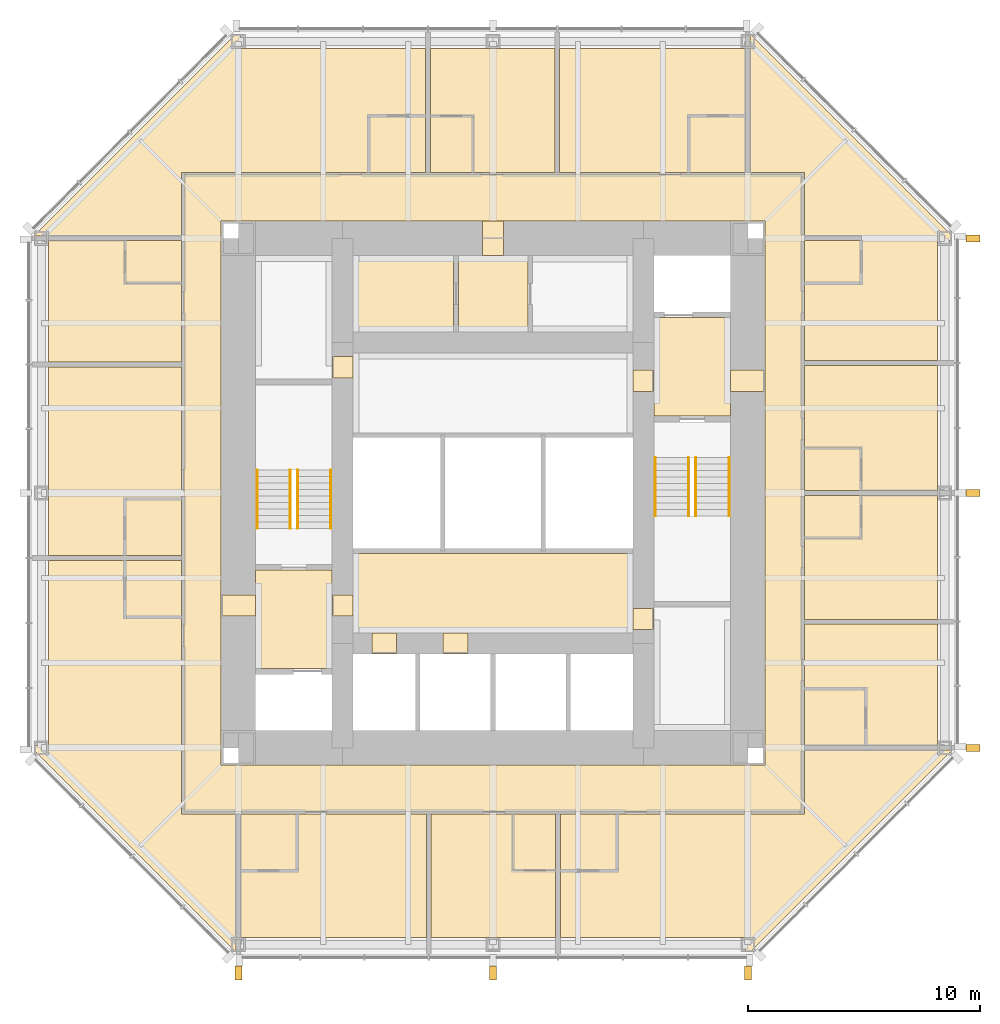
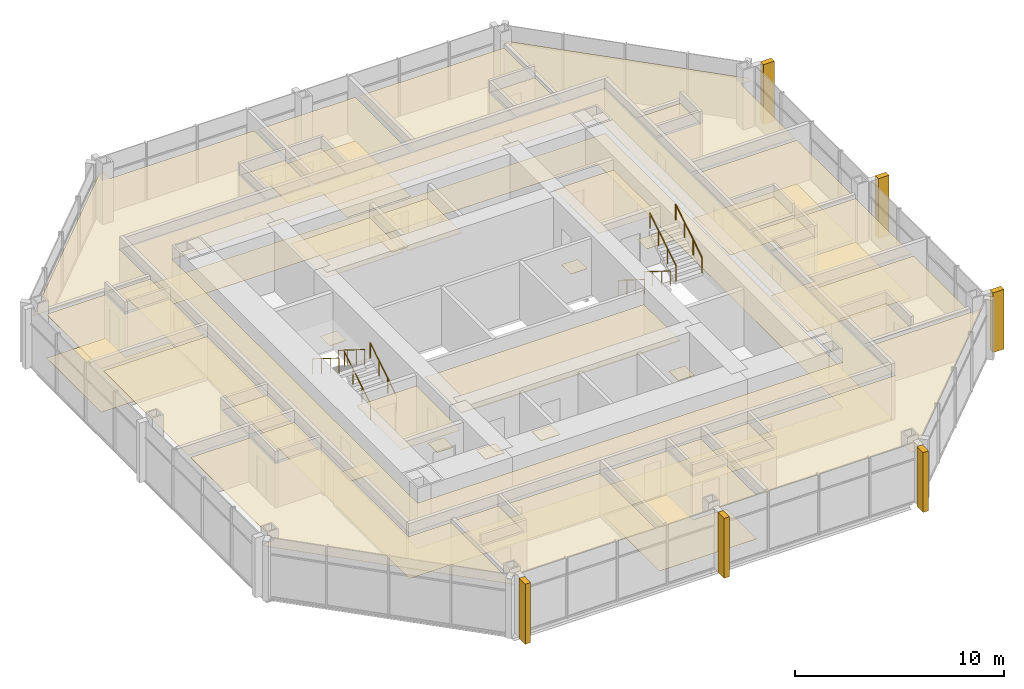
# One storey, part 11 of 11: 53 coverings, 8 railings.
"""IFC4 building model written with IfcOpenShell, lengths in metres."""

from ifc_helpers import new_model, si_unit, direction, frame, origin, origin_2d, place, context, subcontext, project, spatial, polyline, rectangle, circle, outline, extrude, material, layer, layer_set, type_object, element, save


model = new_model("IFC4")

# Units and contexts
model_context = context("Model", 3, precision=1e-05, world=origin(), true_north=direction((0.0, 1.0)))
body_context = subcontext(model_context, "Body", "Model", "MODEL_VIEW")
ifc_project = project(units=[si_unit("LENGTHUNIT", "METRE"), si_unit("AREAUNIT", "SQUARE_METRE"), si_unit("VOLUMEUNIT", "CUBIC_METRE"), si_unit("PLANEANGLEUNIT", "RADIAN"), si_unit("MASSUNIT", "GRAM", prefix="KILO")], contexts=[model_context])

# Site, building, storey
site_placement = place(None, origin())
site = spatial("IfcSite", under=ifc_project, at=site_placement, CompositionType="ELEMENT")
building_placement = place(site_placement, origin())
building = spatial("IfcBuilding", under=site, at=building_placement, Name="Trevanion Tower", CompositionType="ELEMENT")
storey_placement = place(building_placement, frame((0.0, 0.0, 218.699951171875)))
storey = spatial("IfcBuildingStorey", under=building, at=storey_placement, Name="L52", CompositionType="ELEMENT", Elevation=218.699951171875)

# Coverings
ifc_material_1 = material(Name="Fibrous plaster coffers on suspended steel grid", Category="steel")
ifc_layer_1 = layer(ifc_material_1, 0.050048828125)
ifc_layer_set_1 = layer_set([ifc_layer_1], Name="CL1 coffered fibrous plaster ceiling 50")
covering_type_1 = type_object("IfcCoveringType", Name="CL1 coffered fibrous plaster ceiling 50", PredefinedType="CEILING", material=ifc_layer_set_1)
covering_1_placement = place(storey_placement, frame((0.0, 0.0, 2.429931640625)))
element("IfcCovering", 1, at=covering_1_placement, inside=storey, type_object=covering_type_1, Name="CL1 L52-LBS", PredefinedType="CEILING", context=body_context, shape_type="SweptSolid", body=[
    extrude(outline(polyline([(6.050048828125, -6.050048828125), (6.050048828125, -2.60009765625), (-6.050048828125, -2.60009765625), (-6.050048828125, -6.050048828125), (6.050048828125, -6.050048828125)])), origin(), (0.0, 0.0, 1.0), 0.050048828125),
])
ifc_material_2 = material(Name="Mineral fibre acoustic tiles in exposed grid", Category="mineral fibre")
ifc_layer_2 = layer(ifc_material_2, 0.02001953125)
ifc_layer_set_2 = layer_set([ifc_layer_2], Name="CL2 acoustic tile ceiling 20")
covering_type_2 = type_object("IfcCoveringType", Name="CL2 acoustic tile ceiling 20", PredefinedType="CEILING", material=ifc_layer_set_2)
covering_2_placement = place(storey_placement, frame((0.0, 0.0, 2.4599609375)))
element("IfcCovering", 2, at=covering_2_placement, inside=storey, type_object=covering_type_2, Name="CL2 L52-HKC", PredefinedType="CEILING", context=body_context, shape_type="SweptSolid", body=[
    extrude(outline(polyline([(1.5, 6.949951171875), (1.5, 10.25), (-1.5, 10.25), (-1.5, 6.949951171875), (1.5, 6.949951171875)])), origin(), (0.0, 0.0, 1.0), 0.02001953125),
])
covering_3_placement = place(storey_placement, frame((0.0, 0.0, 2.633056640625)))
element("IfcCovering", 3, at=covering_3_placement, inside=storey, type_object=covering_type_2, Name="CL2 L52-CO", PredefinedType="CEILING", context=body_context, shape_type="SweptSolid", body=[
    extrude(outline(polyline([(-13.35009765625, -13.75), (-13.35009765625, 13.75), (13.35009765625, 13.75), (13.35009765625, -13.75), (-13.35009765625, -13.75)]), holes=[polyline([(11.75, 11.75), (-11.75, 11.75), (-11.75, -11.75), (11.75, -11.75), (11.75, 11.75)])]), origin(), (0.0, 0.0, 1.0), 0.02001953125),
])
ifc_material_3 = material(Name="Gypsum plasterboard on suspended metal furring", Category="gypsum")
ifc_layer_3 = layer(ifc_material_3, 0.012939453125)
ifc_layer_set_3 = layer_set([ifc_layer_3], Name="CL3 plasterboard ceiling 13")
covering_type_3 = type_object("IfcCoveringType", Name="CL3 plasterboard ceiling 13", PredefinedType="CEILING", material=ifc_layer_set_3)
covering_4_placement = place(storey_placement, frame((0.0, 0.0, 2.699951171875)))
element("IfcCovering", 4, at=covering_4_placement, inside=storey, type_object=covering_type_3, Name="CL3 L52-FV1", PredefinedType="CEILING", context=body_context, shape_type="SweptSolid", body=[
    extrude(outline(polyline([(10.25, 3.324951171875), (10.25, 7.574951171875), (6.949951171875, 7.574951171875), (6.949951171875, 3.324951171875), (10.25, 3.324951171875)])), origin(), (0.0, 0.0, 1.0), 0.01318359375),
])
covering_5_placement = place(storey_placement, frame((0.0, 0.0, 2.699951171875)))
element("IfcCovering", 5, at=covering_5_placement, inside=storey, type_object=covering_type_3, Name="CL3 L52-FV2", PredefinedType="CEILING", context=body_context, shape_type="SweptSolid", body=[
    extrude(outline(polyline([(-10.25, -3.324951171875), (-10.25, -7.574951171875), (-6.949951171875, -7.574951171875), (-6.949951171875, -3.324951171875), (-10.25, -3.324951171875)])), origin(), (0.0, 0.0, 1.0), 0.01318359375),
])
covering_6_placement = place(storey_placement, frame((0.0, 0.0, 2.551025390625)))
element("IfcCovering", 6, at=covering_6_placement, inside=storey, type_object=covering_type_3, Name="CL3 L52-GA", PredefinedType="CEILING", context=body_context, shape_type="SweptSolid", body=[
    extrude(outline(polyline([(13.449951171875, -5.64892578125), (19.199951171875, -5.64892578125), (19.199951171875, -10.89990234375), (16.10009765625, -10.89990234375), (16.10009765625, -8.449951171875), (13.449951171875, -8.449951171875), (13.449951171875, -5.64892578125)])), origin(), (0.0, 0.0, 1.0), 0.012939453125),
])
covering_7_placement = place(storey_placement, frame((0.0, 0.0, 2.551025390625)))
element("IfcCovering", 7, at=covering_7_placement, inside=storey, type_object=covering_type_3, Name="CL3 L52-GR", PredefinedType="CEILING", context=body_context, shape_type="SweptSolid", body=[
    extrude(outline(polyline([(13.449951171875, -1.949951171875), (15.89990234375, -1.949951171875), (15.89990234375, -0.10009765625), (19.199951171875, -0.10009765625), (19.199951171875, -5.448974609375), (13.449951171875, -5.448974609375), (13.449951171875, -1.949951171875)])), origin(), (0.0, 0.0, 1.0), 0.012939453125),
])
covering_8_placement = place(storey_placement, frame((0.0, 0.0, 2.551025390625)))
element("IfcCovering", 8, at=covering_8_placement, inside=storey, type_object=covering_type_3, Name="CL3 L52-GR2", PredefinedType="CEILING", context=body_context, shape_type="SweptSolid", body=[
    extrude(outline(polyline([(13.449951171875, 5.513916015625), (19.199951171875, 5.513916015625), (19.199951171875, 0.10009765625), (15.89990234375, 0.10009765625), (15.89990234375, 1.949951171875), (13.449951171875, 1.949951171875), (13.449951171875, 5.513916015625)])), origin(), (0.0, 0.0, 1.0), 0.012939453125),
])
covering_9_placement = place(storey_placement, frame((0.0, 0.0, 2.551025390625)))
element("IfcCovering", 9, at=covering_9_placement, inside=storey, type_object=covering_type_3, Name="CL3 L52-GR3", PredefinedType="CEILING", context=body_context, shape_type="SweptSolid", body=[
    extrude(outline(polyline([(11.10009765625, 13.85009765625), (11.10009765625, 19.800048828125), (11.124267578125, 19.800048828125), (19.800048828125, 11.124267578125), (19.800048828125, 10.89990234375), (19.199951171875, 10.89990234375), (19.199951171875, 5.714111328125), (13.449951171875, 5.714111328125), (13.449951171875, 9.050048828125), (15.89990234375, 9.050048828125), (15.89990234375, 10.949951171875), (13.449951171875, 10.949951171875), (13.449951171875, 13.85009765625), (11.10009765625, 13.85009765625)])), origin(), (0.0, 0.0, 1.0), 0.012939453125),
])
covering_10_placement = place(storey_placement, frame((0.0, 0.0, 2.551025390625)))
element("IfcCovering", 10, at=covering_10_placement, inside=storey, type_object=covering_type_3, Name="CL3 L52-GJ", PredefinedType="CEILING", context=body_context, shape_type="SweptSolid", body=[
    extrude(outline(polyline([(2.875, 13.85009765625), (2.875, 19.199951171875), (10.89990234375, 19.199951171875), (10.89990234375, 16.300048828125), (8.449951171875, 16.300048828125), (8.449951171875, 13.85009765625), (2.875, 13.85009765625)])), origin(), (0.0, 0.0, 1.0), 0.012939453125),
])
covering_11_placement = place(storey_placement, frame((0.0, 0.0, 2.551025390625)))
element("IfcCovering", 11, at=covering_11_placement, inside=storey, type_object=covering_type_3, Name="CL3 L52-GR4", PredefinedType="CEILING", context=body_context, shape_type="SweptSolid", body=[
    extrude(outline(polyline([(-0.85693359375, 13.85009765625), (-0.85693359375, 16.300048828125), (-2.70703125, 16.300048828125), (-2.70703125, 19.199951171875), (2.675048828125, 19.199951171875), (2.675048828125, 13.85009765625), (-0.85693359375, 13.85009765625)])), origin(), (0.0, 0.0, 1.0), 0.012939453125),
])
covering_12_placement = place(storey_placement, frame((0.0, 0.0, 2.551025390625)))
element("IfcCovering", 12, at=covering_12_placement, inside=storey, type_object=covering_type_3, Name="CL3 L52-GJ2", PredefinedType="CEILING", context=body_context, shape_type="SweptSolid", body=[
    extrude(outline(polyline([(-13.449951171875, 11.10009765625), (-19.800048828125, 11.10009765625), (-19.800048828125, 11.124267578125), (-11.124267578125, 19.800048828125), (-10.89990234375, 19.800048828125), (-10.89990234375, 19.199951171875), (-2.906982421875, 19.199951171875), (-2.906982421875, 16.300048828125), (-5.35693359375, 16.300048828125), (-5.35693359375, 13.85009765625), (-13.449951171875, 13.85009765625), (-13.449951171875, 11.10009765625)])), origin(), (0.0, 0.0, 1.0), 0.012939453125),
])
covering_13_placement = place(storey_placement, frame((0.0, 0.0, 2.551025390625)))
element("IfcCovering", 13, at=covering_13_placement, inside=storey, type_object=covering_type_3, Name="CL3 L52-GR5", PredefinedType="CEILING", context=body_context, shape_type="SweptSolid", body=[
    extrude(outline(polyline([(-13.449951171875, 5.64892578125), (-19.199951171875, 5.64892578125), (-19.199951171875, 10.89990234375), (-15.89990234375, 10.89990234375), (-15.89990234375, 9.050048828125), (-13.449951171875, 9.050048828125), (-13.449951171875, 5.64892578125)])), origin(), (0.0, 0.0, 1.0), 0.012939453125),
])
covering_14_placement = place(storey_placement, frame((0.0, 0.0, 2.551025390625)))
element("IfcCovering", 14, at=covering_14_placement, inside=storey, type_object=covering_type_3, Name="CL3 L52-GJ3", PredefinedType="CEILING", context=body_context, shape_type="SweptSolid", body=[
    extrude(outline(polyline([(-13.449951171875, -0.257080078125), (-15.89990234375, -0.257080078125), (-15.89990234375, -2.70703125), (-19.199951171875, -2.70703125), (-19.199951171875, 5.448974609375), (-13.449951171875, 5.448974609375), (-13.449951171875, -0.257080078125)])), origin(), (0.0, 0.0, 1.0), 0.012939453125),
])
covering_15_placement = place(storey_placement, frame((0.0, 0.0, 2.551025390625)))
element("IfcCovering", 15, at=covering_15_placement, inside=storey, type_object=covering_type_3, Name="CL3 L52-GJ4", PredefinedType="CEILING", context=body_context, shape_type="SweptSolid", body=[
    extrude(outline(polyline([(-11.10009765625, -13.85009765625), (-11.10009765625, -19.800048828125), (-11.124267578125, -19.800048828125), (-19.800048828125, -11.124267578125), (-19.800048828125, -10.89990234375), (-19.199951171875, -10.89990234375), (-19.199951171875, -2.906982421875), (-15.89990234375, -2.906982421875), (-15.89990234375, -5.35693359375), (-13.449951171875, -5.35693359375), (-13.449951171875, -13.85009765625), (-11.10009765625, -13.85009765625)])), origin(), (0.0, 0.0, 1.0), 0.012939453125),
])
covering_16_placement = place(storey_placement, frame((0.0, 0.0, 2.551025390625)))
element("IfcCovering", 16, at=covering_16_placement, inside=storey, type_object=covering_type_3, Name="CL3 L52-GJ5", PredefinedType="CEILING", context=body_context, shape_type="SweptSolid", body=[
    extrude(outline(polyline([(-2.875, -13.85009765625), (-2.875, -19.199951171875), (-10.89990234375, -19.199951171875), (-10.89990234375, -16.300048828125), (-8.449951171875, -16.300048828125), (-8.449951171875, -13.85009765625), (-2.875, -13.85009765625)])), origin(), (0.0, 0.0, 1.0), 0.012939453125),
])
covering_17_placement = place(storey_placement, frame((0.0, 0.0, 2.551025390625)))
element("IfcCovering", 17, at=covering_17_placement, inside=storey, type_object=covering_type_3, Name="CL3 L52-GR6", PredefinedType="CEILING", context=body_context, shape_type="SweptSolid", body=[
    extrude(outline(polyline([(0.85693359375, -13.85009765625), (0.85693359375, -16.300048828125), (2.70703125, -16.300048828125), (2.70703125, -19.199951171875), (-2.675048828125, -19.199951171875), (-2.675048828125, -13.85009765625), (0.85693359375, -13.85009765625)])), origin(), (0.0, 0.0, 1.0), 0.012939453125),
])
covering_18_placement = place(storey_placement, frame((0.0, 0.0, 2.551025390625)))
element("IfcCovering", 18, at=covering_18_placement, inside=storey, type_object=covering_type_3, Name="CL3 L52-GJ6", PredefinedType="CEILING", context=body_context, shape_type="SweptSolid", body=[
    extrude(outline(polyline([(13.449951171875, -11.10009765625), (19.800048828125, -11.10009765625), (19.800048828125, -11.124267578125), (11.124267578125, -19.800048828125), (10.89990234375, -19.800048828125), (10.89990234375, -19.199951171875), (2.906982421875, -19.199951171875), (2.906982421875, -16.300048828125), (5.35693359375, -16.300048828125), (5.35693359375, -13.85009765625), (13.449951171875, -13.85009765625), (13.449951171875, -11.10009765625)])), origin(), (0.0, 0.0, 1.0), 0.012939453125),
])
ifc_material_4 = material(Name="Moisture-resistant gypsum board on suspended metal furring", Category="gypsum")
ifc_layer_4 = layer(ifc_material_4, 0.01611328125)
ifc_layer_set_4 = layer_set([ifc_layer_4], Name="CL4 moisture-resistant board ceiling 16")
covering_type_4 = type_object("IfcCoveringType", Name="CL4 moisture-resistant board ceiling 16", PredefinedType="CEILING", material=ifc_layer_set_4)
covering_19_placement = place(storey_placement, frame((0.0, 0.0, 2.464111328125)))
element("IfcCovering", 19, at=covering_19_placement, inside=storey, type_object=covering_type_4, Name="CL4 L52-HK", PredefinedType="CEILING", context=body_context, shape_type="SweptSolid", body=[
    extrude(outline(polyline([(-1.699951171875, 6.949951171875), (-1.699951171875, 10.25), (-6.050048828125, 10.25), (-6.050048828125, 6.949951171875), (-1.699951171875, 6.949951171875)])), origin(), (0.0, 0.0, 1.0), 0.015869140625),
])
covering_20_placement = place(storey_placement, frame((0.0, 0.0, 2.60009765625)))
element("IfcCovering", 20, at=covering_20_placement, inside=storey, type_object=covering_type_4, Name="CL4 L52-EN", PredefinedType="CEILING", context=body_context, shape_type="SweptSolid", body=[
    extrude(outline(polyline([(16.050048828125, -10.89990234375), (16.050048828125, -8.5), (13.449951171875, -8.5), (13.449951171875, -10.89990234375), (16.050048828125, -10.89990234375)])), origin(), (0.0, 0.0, 1.0), 0.015869140625),
])
covering_21_placement = place(storey_placement, frame((0.0, 0.0, 2.60009765625)))
element("IfcCovering", 21, at=covering_21_placement, inside=storey, type_object=covering_type_4, Name="CL4 L52-EN2", PredefinedType="CEILING", context=body_context, shape_type="SweptSolid", body=[
    extrude(outline(polyline([(15.85009765625, -1.89990234375), (15.85009765625, -0.10009765625), (13.449951171875, -0.10009765625), (13.449951171875, -1.89990234375), (15.85009765625, -1.89990234375)])), origin(), (0.0, 0.0, 1.0), 0.015869140625),
])
covering_22_placement = place(storey_placement, frame((0.0, 0.0, 2.60009765625)))
element("IfcCovering", 22, at=covering_22_placement, inside=storey, type_object=covering_type_4, Name="CL4 L52-EN3", PredefinedType="CEILING", context=body_context, shape_type="SweptSolid", body=[
    extrude(outline(polyline([(15.85009765625, 0.10009765625), (15.85009765625, 1.89990234375), (13.449951171875, 1.89990234375), (13.449951171875, 0.10009765625), (15.85009765625, 0.10009765625)])), origin(), (0.0, 0.0, 1.0), 0.015869140625),
])
covering_23_placement = place(storey_placement, frame((0.0, 0.0, 2.60009765625)))
element("IfcCovering", 23, at=covering_23_placement, inside=storey, type_object=covering_type_4, Name="CL4 L52-EN4", PredefinedType="CEILING", context=body_context, shape_type="SweptSolid", body=[
    extrude(outline(polyline([(15.85009765625, 9.10009765625), (15.85009765625, 10.89990234375), (13.449951171875, 10.89990234375), (13.449951171875, 9.10009765625), (15.85009765625, 9.10009765625)])), origin(), (0.0, 0.0, 1.0), 0.015869140625),
])
covering_24_placement = place(storey_placement, frame((0.0, 0.0, 2.60009765625)))
element("IfcCovering", 24, at=covering_24_placement, inside=storey, type_object=covering_type_4, Name="CL4 L52-EN5", PredefinedType="CEILING", context=body_context, shape_type="SweptSolid", body=[
    extrude(outline(polyline([(10.89990234375, 16.25), (8.5, 16.25), (8.5, 13.85009765625), (10.89990234375, 13.85009765625), (10.89990234375, 16.25)])), origin(), (0.0, 0.0, 1.0), 0.015869140625),
])
covering_25_placement = place(storey_placement, frame((0.0, 0.0, 2.60009765625)))
element("IfcCovering", 25, at=covering_25_placement, inside=storey, type_object=covering_type_4, Name="CL4 L52-EN6", PredefinedType="CEILING", context=body_context, shape_type="SweptSolid", body=[
    extrude(outline(polyline([(-0.906982421875, 16.25), (-2.70703125, 16.25), (-2.70703125, 13.85009765625), (-0.906982421875, 13.85009765625), (-0.906982421875, 16.25)])), origin(), (0.0, 0.0, 1.0), 0.015869140625),
])
covering_26_placement = place(storey_placement, frame((0.0, 0.0, 2.60009765625)))
element("IfcCovering", 26, at=covering_26_placement, inside=storey, type_object=covering_type_4, Name="CL4 L52-EN7", PredefinedType="CEILING", context=body_context, shape_type="SweptSolid", body=[
    extrude(outline(polyline([(-2.906982421875, 16.25), (-5.306884765625, 16.25), (-5.306884765625, 13.85009765625), (-2.906982421875, 13.85009765625), (-2.906982421875, 16.25)])), origin(), (0.0, 0.0, 1.0), 0.015869140625),
])
covering_27_placement = place(storey_placement, frame((0.0, 0.0, 2.60009765625)))
element("IfcCovering", 27, at=covering_27_placement, inside=storey, type_object=covering_type_4, Name="CL4 L52-EN8", PredefinedType="CEILING", context=body_context, shape_type="SweptSolid", body=[
    extrude(outline(polyline([(-15.85009765625, 10.89990234375), (-15.85009765625, 9.10009765625), (-13.449951171875, 9.10009765625), (-13.449951171875, 10.89990234375), (-15.85009765625, 10.89990234375)])), origin(), (0.0, 0.0, 1.0), 0.015869140625),
])
covering_28_placement = place(storey_placement, frame((0.0, 0.0, 2.60009765625)))
element("IfcCovering", 28, at=covering_28_placement, inside=storey, type_object=covering_type_4, Name="CL4 L52-EN9", PredefinedType="CEILING", context=body_context, shape_type="SweptSolid", body=[
    extrude(outline(polyline([(-15.85009765625, -0.306884765625), (-15.85009765625, -2.70703125), (-13.449951171875, -2.70703125), (-13.449951171875, -0.306884765625), (-15.85009765625, -0.306884765625)])), origin(), (0.0, 0.0, 1.0), 0.015869140625),
])
covering_29_placement = place(storey_placement, frame((0.0, 0.0, 2.60009765625)))
element("IfcCovering", 29, at=covering_29_placement, inside=storey, type_object=covering_type_4, Name="CL4 L52-EN10", PredefinedType="CEILING", context=body_context, shape_type="SweptSolid", body=[
    extrude(outline(polyline([(-15.85009765625, -2.906982421875), (-15.85009765625, -5.306884765625), (-13.449951171875, -5.306884765625), (-13.449951171875, -2.906982421875), (-15.85009765625, -2.906982421875)])), origin(), (0.0, 0.0, 1.0), 0.015869140625),
])
covering_30_placement = place(storey_placement, frame((0.0, 0.0, 2.60009765625)))
element("IfcCovering", 30, at=covering_30_placement, inside=storey, type_object=covering_type_4, Name="CL4 L52-EN11", PredefinedType="CEILING", context=body_context, shape_type="SweptSolid", body=[
    extrude(outline(polyline([(-10.89990234375, -16.25), (-8.5, -16.25), (-8.5, -13.85009765625), (-10.89990234375, -13.85009765625), (-10.89990234375, -16.25)])), origin(), (0.0, 0.0, 1.0), 0.015869140625),
])
covering_31_placement = place(storey_placement, frame((0.0, 0.0, 2.60009765625)))
element("IfcCovering", 31, at=covering_31_placement, inside=storey, type_object=covering_type_4, Name="CL4 L52-EN12", PredefinedType="CEILING", context=body_context, shape_type="SweptSolid", body=[
    extrude(outline(polyline([(0.906982421875, -16.25), (2.70703125, -16.25), (2.70703125, -13.85009765625), (0.906982421875, -13.85009765625), (0.906982421875, -16.25)])), origin(), (0.0, 0.0, 1.0), 0.015869140625),
])
covering_32_placement = place(storey_placement, frame((0.0, 0.0, 2.60009765625)))
element("IfcCovering", 32, at=covering_32_placement, inside=storey, type_object=covering_type_4, Name="CL4 L52-EN13", PredefinedType="CEILING", context=body_context, shape_type="SweptSolid", body=[
    extrude(outline(polyline([(2.906982421875, -16.25), (5.306884765625, -16.25), (5.306884765625, -13.85009765625), (2.906982421875, -13.85009765625), (2.906982421875, -16.25)])), origin(), (0.0, 0.0, 1.0), 0.015869140625),
])
ifc_material_5 = material(Name="Cast bronze fin on aluminium carrier", Category="aluminium")
covering_type_5 = type_object("IfcCoveringType", Name="F1 bronze fin", PredefinedType="CLADDING", material=ifc_material_5)
for number, where, z_axis, x_axis, name in (
    (33, (20.72509765625, -11.0, -0.18994140625), (0.0, 0.0, 1.0), (0.0, 1.0, 0.0), "F1 L52 east -11.0"),
    (34, (20.72509765625, 0.0, -0.18994140625), (0.0, 0.0, 1.0), (0.0, 1.0, 0.0), "F1 L52 east +0.0"),
    (35, (20.72509765625, 11.0, -0.18994140625), (0.0, 0.0, 1.0), (0.0, 1.0, 0.0), "F1 L52 east +11.0"),
    (36, (-11.0, -20.72509765625, -0.18994140625), (0.0, 0.0, 1.0), (1.0, 0.0, 0.0), "F1 L52 south -11.0"),
    (37, (0.0, -20.72509765625, -0.18994140625), (0.0, 0.0, 1.0), (1.0, 0.0, 0.0), "F1 L52 south +0.0"),
    (38, (11.0, -20.72509765625, -0.18994140625), (0.0, 0.0, 1.0), (1.0, 0.0, 0.0), "F1 L52 south +11.0"),
):
    element("IfcCovering", number, at=place(storey_placement, frame(where, z_axis=z_axis, x_axis=x_axis)), inside=storey, type_object=covering_type_5, Name=name, PredefinedType="CLADDING", context=body_context, shape_type="SweptSolid", body=[
        extrude(rectangle(XDim=0.300048828125, YDim=0.60009765625, at=origin_2d()), origin(), (0.0, 0.0, 1.0), 3.5),
    ])
ifc_material_6 = material(Name="Terrazzo, brass divider strips", Category="stone")
ifc_layer_5 = layer(ifc_material_6, 0.02001953125)
ifc_layer_set_5 = layer_set([ifc_layer_5], Name="FF1 terrazzo flooring")
covering_type_6 = type_object("IfcCoveringType", Name="FF1 terrazzo flooring", PredefinedType="FLOORING", material=ifc_layer_set_5)
covering_33_placement = place(storey_placement, origin())
element("IfcCovering", 39, at=covering_33_placement, inside=storey, type_object=covering_type_6, Name="FF1 threshold 52-001", PredefinedType="FLOORING", context=body_context, shape_type="SweptSolid", body=[
    extrude(outline(polyline([(11.75, 4.392578125), (11.75, 5.3076171875), (10.25, 5.3076171875), (10.25, 4.392578125), (11.75, 4.392578125)])), origin(), (0.0, 0.0, 1.0), 0.02001953125),
])
covering_34_placement = place(storey_placement, origin())
element("IfcCovering", 40, at=covering_34_placement, inside=storey, type_object=covering_type_6, Name="FF1 threshold 52-002", PredefinedType="FLOORING", context=body_context, shape_type="SweptSolid", body=[
    extrude(outline(polyline([(-11.75, -4.392578125), (-11.75, -5.3076171875), (-10.25, -5.3076171875), (-10.25, -4.392578125), (-11.75, -4.392578125)])), origin(), (0.0, 0.0, 1.0), 0.02001953125),
])
covering_35_placement = place(storey_placement, origin())
element("IfcCovering", 41, at=covering_35_placement, inside=storey, type_object=covering_type_6, Name="FF1 threshold 52-003", PredefinedType="FLOORING", context=body_context, shape_type="SweptSolid", body=[
    extrude(outline(polyline([(6.949951171875, 4.392578125), (6.949951171875, 5.3076171875), (6.050048828125, 5.3076171875), (6.050048828125, 4.392578125), (6.949951171875, 4.392578125)])), origin(), (0.0, 0.0, 1.0), 0.02001953125),
])
covering_36_placement = place(storey_placement, origin())
element("IfcCovering", 42, at=covering_36_placement, inside=storey, type_object=covering_type_6, Name="FF1 threshold 52-004", PredefinedType="FLOORING", context=body_context, shape_type="SweptSolid", body=[
    extrude(outline(polyline([(-6.949951171875, -4.392578125), (-6.949951171875, -5.3076171875), (-6.050048828125, -5.3076171875), (-6.050048828125, -4.392578125), (-6.949951171875, -4.392578125)])), origin(), (0.0, 0.0, 1.0), 0.02001953125),
])
covering_37_placement = place(storey_placement, origin())
element("IfcCovering", 43, at=covering_37_placement, inside=storey, type_object=covering_type_6, Name="FF1 threshold 52-009", PredefinedType="FLOORING", context=body_context, shape_type="SweptSolid", body=[
    extrude(outline(polyline([(6.949951171875, -5.889892578125), (6.949951171875, -4.97509765625), (6.050048828125, -4.97509765625), (6.050048828125, -5.889892578125), (6.949951171875, -5.889892578125)])), origin(), (0.0, 0.0, 1.0), 0.02001953125),
])
covering_38_placement = place(storey_placement, origin())
element("IfcCovering", 44, at=covering_38_placement, inside=storey, type_object=covering_type_6, Name="FF1 threshold 52-010", PredefinedType="FLOORING", context=body_context, shape_type="SweptSolid", body=[
    extrude(outline(polyline([(-6.949951171875, 5.889892578125), (-6.949951171875, 4.97509765625), (-6.050048828125, 4.97509765625), (-6.050048828125, 5.889892578125), (-6.949951171875, 5.889892578125)])), origin(), (0.0, 0.0, 1.0), 0.02001953125),
])
covering_39_placement = place(storey_placement, origin())
element("IfcCovering", 45, at=covering_39_placement, inside=storey, type_object=covering_type_6, Name="FF1 threshold 52-011", PredefinedType="FLOORING", context=body_context, shape_type="SweptSolid", body=[
    extrude(outline(polyline([(-5.2333984375, -6.949951171875), (-4.16650390625, -6.949951171875), (-4.16650390625, -6.050048828125), (-5.2333984375, -6.050048828125), (-5.2333984375, -6.949951171875)])), origin(), (0.0, 0.0, 1.0), 0.02001953125),
])
covering_40_placement = place(storey_placement, origin())
element("IfcCovering", 46, at=covering_40_placement, inside=storey, type_object=covering_type_6, Name="FF1 threshold 52-012", PredefinedType="FLOORING", context=body_context, shape_type="SweptSolid", body=[
    extrude(outline(polyline([(-2.158447265625, -6.949951171875), (-1.091552734375, -6.949951171875), (-1.091552734375, -6.050048828125), (-2.158447265625, -6.050048828125), (-2.158447265625, -6.949951171875)])), origin(), (0.0, 0.0, 1.0), 0.02001953125),
])
covering_41_placement = place(storey_placement, origin())
element("IfcCovering", 47, at=covering_41_placement, inside=storey, type_object=covering_type_6, Name="FF1 threshold 52-013", PredefinedType="FLOORING", context=body_context, shape_type="SweptSolid", body=[
    extrude(outline(polyline([(0.45751953125, 11.75), (-0.45751953125, 11.75), (-0.45751953125, 10.25), (0.45751953125, 10.25), (0.45751953125, 11.75)])), origin(), (0.0, 0.0, 1.0), 0.02001953125),
])
ifc_material_7 = material(Name="Wool carpet on underlay", Category="textile")
ifc_layer_6 = layer(ifc_material_7, 0.011962890625)
ifc_layer_set_6 = layer_set([ifc_layer_6], Name="FF2 carpet flooring")
covering_type_7 = type_object("IfcCoveringType", Name="FF2 carpet flooring", PredefinedType="FLOORING", material=ifc_layer_set_6)
covering_42_placement = place(storey_placement, origin())
element("IfcCovering", 48, at=covering_42_placement, inside=storey, type_object=covering_type_7, Name="FF2 L52-CO", PredefinedType="FLOORING", context=body_context, shape_type="SweptSolid", body=[
    extrude(outline(polyline([(-13.35009765625, -13.75), (-13.35009765625, 13.75), (13.35009765625, 13.75), (13.35009765625, -13.75), (-13.35009765625, -13.75)]), holes=[polyline([(11.75, 11.75), (-11.75, 11.75), (-11.75, -11.75), (11.75, -11.75), (11.75, 11.75)])]), origin(), (0.0, 0.0, 1.0), 0.011962890625),
])
covering_43_placement = place(storey_placement, origin())
element("IfcCovering", 49, at=covering_43_placement, inside=storey, type_object=covering_type_7, Name="FF2 L52-GR", PredefinedType="FLOORING", context=body_context, shape_type="SweptSolid", body=[
    extrude(outline(polyline([(13.449951171875, -1.949951171875), (15.89990234375, -1.949951171875), (15.89990234375, -0.10009765625), (19.199951171875, -0.10009765625), (19.199951171875, -5.448974609375), (13.449951171875, -5.448974609375), (13.449951171875, -1.949951171875)])), origin(), (0.0, 0.0, 1.0), 0.011962890625),
])
covering_44_placement = place(storey_placement, origin())
element("IfcCovering", 50, at=covering_44_placement, inside=storey, type_object=covering_type_7, Name="FF2 L52-GR2", PredefinedType="FLOORING", context=body_context, shape_type="SweptSolid", body=[
    extrude(outline(polyline([(13.449951171875, 5.513916015625), (19.199951171875, 5.513916015625), (19.199951171875, 0.10009765625), (15.89990234375, 0.10009765625), (15.89990234375, 1.949951171875), (13.449951171875, 1.949951171875), (13.449951171875, 5.513916015625)])), origin(), (0.0, 0.0, 1.0), 0.011962890625),
])
covering_45_placement = place(storey_placement, origin())
element("IfcCovering", 51, at=covering_45_placement, inside=storey, type_object=covering_type_7, Name="FF2 L52-GR4", PredefinedType="FLOORING", context=body_context, shape_type="SweptSolid", body=[
    extrude(outline(polyline([(-0.85693359375, 13.85009765625), (-0.85693359375, 16.300048828125), (-2.70703125, 16.300048828125), (-2.70703125, 19.199951171875), (2.675048828125, 19.199951171875), (2.675048828125, 13.85009765625), (-0.85693359375, 13.85009765625)])), origin(), (0.0, 0.0, 1.0), 0.011962890625),
])
covering_46_placement = place(storey_placement, origin())
element("IfcCovering", 52, at=covering_46_placement, inside=storey, type_object=covering_type_7, Name="FF2 L52-GR5", PredefinedType="FLOORING", context=body_context, shape_type="SweptSolid", body=[
    extrude(outline(polyline([(-13.449951171875, 5.64892578125), (-19.199951171875, 5.64892578125), (-19.199951171875, 10.89990234375), (-15.89990234375, 10.89990234375), (-15.89990234375, 9.050048828125), (-13.449951171875, 9.050048828125), (-13.449951171875, 5.64892578125)])), origin(), (0.0, 0.0, 1.0), 0.011962890625),
])
covering_47_placement = place(storey_placement, origin())
element("IfcCovering", 53, at=covering_47_placement, inside=storey, type_object=covering_type_7, Name="FF2 L52-GR6", PredefinedType="FLOORING", context=body_context, shape_type="SweptSolid", body=[
    extrude(outline(polyline([(0.85693359375, -13.85009765625), (0.85693359375, -16.300048828125), (2.70703125, -16.300048828125), (2.70703125, -19.199951171875), (-2.675048828125, -19.199951171875), (-2.675048828125, -13.85009765625), (0.85693359375, -13.85009765625)])), origin(), (0.0, 0.0, 1.0), 0.011962890625),
])

# Railings
ifc_material_8 = material(Name="Stainless steel tube 40 mm", Category="steel")
railing_type = type_object("IfcRailingType", Name="HR1 handrail", PredefinedType="HANDRAIL", material=ifc_material_8)
for number, where, name in (
    (54, (7.010009765625, 1.52490234375, 0.175048828125), "HR1 ST1 L52 flight 1"),
    (55, (8.43994140625, 1.52490234375, 0.175048828125), "HR1 ST1 L52 flight 1"),
):
    element("IfcRailing", number, at=place(storey_placement, frame(where)), inside=storey, type_object=railing_type, Name=name, PredefinedType="HANDRAIL", context=body_context, shape_type="SweptSolid", body=[
        extrude(circle(Radius=0.02001953125, at=origin_2d()), frame((0.0, 0.0, 0.8798828125), z_axis=(0.0, -0.848007534815, 0.529984170421), x_axis=(1.0, 0.0, 0.0)), (0.0, 0.0, 1.0), 2.9716796875),
        extrude(circle(Radius=0.01513671875, at=origin_2d()), origin(), (0.0, 0.0, 1.0), 0.85986328125),
        extrude(circle(Radius=0.01513671875, at=origin_2d()), frame((0.0, -0.840087890625, 0.52490234375)), (0.0, 0.0, 1.0), 0.85986328125),
        extrude(circle(Radius=0.01513671875, at=origin_2d()), frame((0.0, -1.679931640625, 1.050048828125)), (0.0, 0.0, 1.0), 0.85986328125),
        extrude(circle(Radius=0.01513671875, at=origin_2d()), frame((0.0, -2.52001953125, 1.574951171875)), (0.0, 0.0, 1.0), 0.85986328125),
    ])
for number, where, name in (
    (56, (8.760009765625, -0.9951171875, 1.925048828125), "HR1 ST1 L52 flight 2"),
    (57, (10.18994140625, -0.9951171875, 1.925048828125), "HR1 ST1 L52 flight 2"),
    (58, (-7.010009765625, -1.52490234375, 0.175048828125), "HR1 ST2 L52 flight 1"),
    (59, (-8.43994140625, -1.52490234375, 0.175048828125), "HR1 ST2 L52 flight 1"),
):
    element("IfcRailing", number, at=place(storey_placement, frame(where)), inside=storey, type_object=railing_type, Name=name, PredefinedType="HANDRAIL", context=body_context, shape_type="SweptSolid", body=[
        extrude(circle(Radius=0.02001953125, at=origin_2d()), frame((0.0, 0.0, 0.8798828125), z_axis=(0.0, 0.848007534815, 0.529984170421), x_axis=(-1.0, 0.0, 0.0)), (0.0, 0.0, 1.0), 2.9716796875),
        extrude(circle(Radius=0.01513671875, at=origin_2d()), origin(), (0.0, 0.0, 1.0), 0.85986328125),
        extrude(circle(Radius=0.01513671875, at=origin_2d()), frame((0.0, 0.840087890625, 0.52490234375)), (0.0, 0.0, 1.0), 0.85986328125),
        extrude(circle(Radius=0.01513671875, at=origin_2d()), frame((0.0, 1.679931640625, 1.050048828125)), (0.0, 0.0, 1.0), 0.85986328125),
        extrude(circle(Radius=0.01513671875, at=origin_2d()), frame((0.0, 2.52001953125, 1.574951171875)), (0.0, 0.0, 1.0), 0.85986328125),
    ])
for number, where, name in (
    (60, (-8.760009765625, 0.9951171875, 1.925048828125), "HR1 ST2 L52 flight 2"),
    (61, (-10.18994140625, 0.9951171875, 1.925048828125), "HR1 ST2 L52 flight 2"),
):
    element("IfcRailing", number, at=place(storey_placement, frame(where)), inside=storey, type_object=railing_type, Name=name, PredefinedType="HANDRAIL", context=body_context, shape_type="SweptSolid", body=[
        extrude(circle(Radius=0.02001953125, at=origin_2d()), frame((0.0, 0.0, 0.8798828125), z_axis=(0.0, -0.848007534815, 0.529984170421), x_axis=(1.0, 0.0, 0.0)), (0.0, 0.0, 1.0), 2.9716796875),
        extrude(circle(Radius=0.01513671875, at=origin_2d()), origin(), (0.0, 0.0, 1.0), 0.85986328125),
        extrude(circle(Radius=0.01513671875, at=origin_2d()), frame((0.0, -0.840087890625, 0.52490234375)), (0.0, 0.0, 1.0), 0.85986328125),
        extrude(circle(Radius=0.01513671875, at=origin_2d()), frame((0.0, -1.679931640625, 1.050048828125)), (0.0, 0.0, 1.0), 0.85986328125),
        extrude(circle(Radius=0.01513671875, at=origin_2d()), frame((0.0, -2.52001953125, 1.574951171875)), (0.0, 0.0, 1.0), 0.85986328125),
    ])

save(model, "model.ifc")
